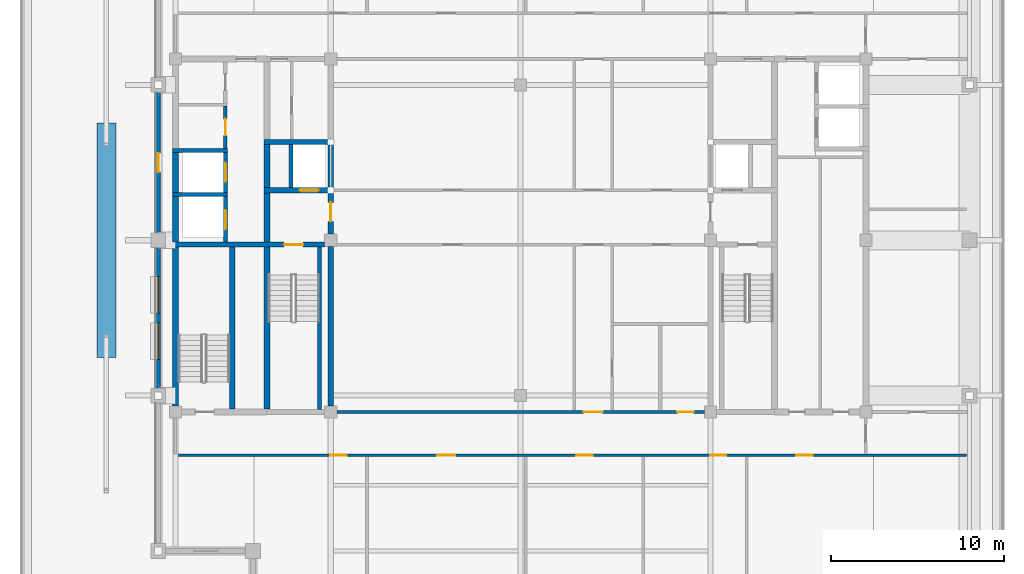
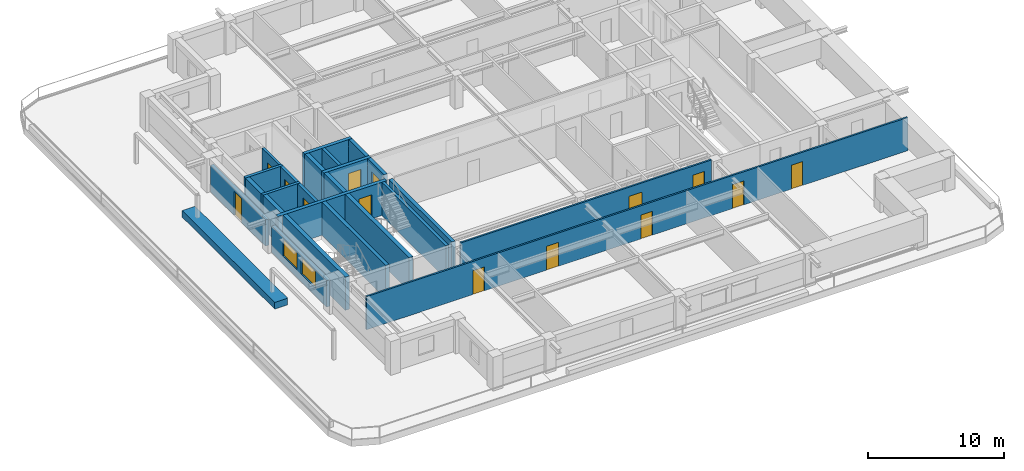
# One storey, part 6 of 14: 25 walls, 14 doors, 2 windows, 16 openings.
"""IFC4 building model written with IfcOpenShell, lengths in metres."""

from ifc_helpers import new_model, si_unit, direction, frame, frame_2d, origin, place, context, subcontext, project, spatial, rectangle, extrude, material, layer, layer_set, type_object, element, fill, save


model = new_model("IFC4")

# Units and contexts
model_context = context("Model", 3, precision=1e-05, world=origin(), true_north=direction((0.0, 1.0)))
body_context = subcontext(model_context, "Body", "Model", "MODEL_VIEW")
ifc_project = project(units=[si_unit("LENGTHUNIT", "METRE"), si_unit("AREAUNIT", "SQUARE_METRE"), si_unit("VOLUMEUNIT", "CUBIC_METRE"), si_unit("PLANEANGLEUNIT", "RADIAN"), si_unit("MASSUNIT", "GRAM", prefix="KILO")], contexts=[model_context])

# Site, building, storey
site_placement = place(None, origin())
site = spatial("IfcSite", under=ifc_project, at=site_placement, CompositionType="ELEMENT")
building_placement = place(site_placement, origin())
building = spatial("IfcBuilding", under=site, at=building_placement, Name="Zulmaris Gate Convention Tower", CompositionType="ELEMENT")
storey_placement = place(building_placement, frame((0.0, 0.0, 226.820068359375)))
storey = spatial("IfcBuildingStorey", under=building, at=storey_placement, Name="L59", CompositionType="ELEMENT", Elevation=226.820068359375)

# Walls
ifc_material_1 = material(Name="Concrete C50/60", Category="concrete")
ifc_layer_1 = layer(ifc_material_1, 0.25, Name="Concrete C50/60")
ifc_layer_set_1 = layer_set([ifc_layer_1], Name="Concrete C50/60")
wall_type_1 = type_object("IfcWallType", Name="CORE-250", PredefinedType="SOLIDWALL", material=ifc_layer_set_1)
for number, where, z_axis, x_axis, name in (
    (1, (-20.175048828125, 2.64990234375, 0.0), (0.0, 0.0, 1.0), (1.0, 0.0, 0.0), "WL-L59-007"),
    (2, (-20.175048828125, 5.199951171875, 0.0), (0.0, 0.0, 1.0), (1.0, 0.0, 0.0), "WL-L59-010"),
):
    element("IfcWall", number, at=place(storey_placement, frame(where, z_axis=z_axis, x_axis=x_axis)), inside=storey, type_object=wall_type_1, Name=name, PredefinedType="SOLIDWALL", context=body_context, shape_type="SweptSolid", body=[
        extrude(rectangle(XDim=3.199951171875, YDim=0.25, at=frame_2d((1.60009765625, 0.0))), origin(), (0.0, 0.0, 1.0), 2.97998046875),
    ])

# Wall, opening, door
wall_1_placement = place(storey_placement, frame((-17.10009765625, -0.097900390625, 0.0), z_axis=(0.0, 0.0, 1.0), x_axis=(0.0, 1.0, 0.0)))
wall_1 = element("IfcWall", 3, at=wall_1_placement, inside=storey, type_object=wall_type_1, Name="WL-L59-035", PredefinedType="SOLIDWALL", context=body_context, shape_type="SweptSolid", body=[
    extrude(rectangle(XDim=2.620849609375, YDim=0.25, at=frame_2d((1.310546875, 0.0))), origin(), (0.0, 0.0, 1.0), 2.97998046875),
])
opening_1_placement = place(wall_1_placement, frame((0.748046875, 0.0, 0.0)))
opening_1 = element("IfcOpeningElement", 4, at=opening_1_placement, cuts=wall_1, Name="Opening D-06", PredefinedType="OPENING", context=body_context, shape_type="SweptSolid", body=[
    extrude(rectangle(XDim=1.10009765625, YDim=2.199951171875, at=frame_2d((0.550048828125, 1.10009765625))), frame((0.0, 0.135009765625, 0.0), z_axis=(0.0, -1.0, 0.0), x_axis=(1.0, 0.0, 0.0)), (0.0, 0.0, 1.0), 0.27001953125),
])
ifc_material_2 = material(Name="Brushed Stainless Steel", Category="steel")
door_type_1 = type_object("IfcDoorType", Name="LD-1100", OperationType="NOTDEFINED", PredefinedType="DOOR", material=ifc_material_2)
door_1_placement = place(opening_1_placement, origin())
door_1 = element("IfcDoor", 5, at=door_1_placement, inside=storey, type_object=door_type_1, Name="L59 Lift Landing Door HP-03 11", OperationType="SLIDING_TO_LEFT", OverallHeight=2.199951171875, OverallWidth=1.10009765625, PredefinedType="DOOR", context=body_context, shape_type="SweptSolid", body=[
    extrude(rectangle(XDim=1.10009765625, YDim=2.199951171875, at=frame_2d((0.550048828125, 1.10009765625))), frame((0.0, 0.02490234375, 0.0), z_axis=(0.0, -1.0, 0.0), x_axis=(1.0, 0.0, 0.0)), (0.0, 0.0, 1.0), 0.050048828125),
])
fill(opening_1, door_1)

wall_2_placement = place(storey_placement, frame((-17.10009765625, 2.777099609375, 0.0), z_axis=(0.0, 0.0, 1.0), x_axis=(0.0, 1.0, 0.0)))
wall_2 = element("IfcWall", 6, at=wall_2_placement, inside=storey, type_object=wall_type_1, Name="WL-L59-036", PredefinedType="SOLIDWALL", context=body_context, shape_type="SweptSolid", body=[
    extrude(rectangle(XDim=2.2958984375, YDim=0.25, at=frame_2d((1.14794921875, 0.0))), origin(), (0.0, 0.0, 1.0), 2.97998046875),
])
opening_2_placement = place(wall_2_placement, frame((0.597900390625, 0.0, 0.0)))
opening_2 = element("IfcOpeningElement", 7, at=opening_2_placement, cuts=wall_2, Name="Opening D-06", PredefinedType="OPENING", context=body_context, shape_type="SweptSolid", body=[
    extrude(rectangle(XDim=1.10009765625, YDim=2.199951171875, at=frame_2d((0.550048828125, 1.10009765625))), frame((0.0, 0.135009765625, 0.0), z_axis=(0.0, -1.0, 0.0), x_axis=(1.0, 0.0, 0.0)), (0.0, 0.0, 1.0), 0.27001953125),
])
door_2_placement = place(opening_2_placement, origin())
door_2 = element("IfcDoor", 8, at=door_2_placement, inside=storey, type_object=door_type_1, Name="L59 Lift Landing Door HP-04 12", OperationType="SLIDING_TO_LEFT", OverallHeight=2.199951171875, OverallWidth=1.10009765625, PredefinedType="DOOR", context=body_context, shape_type="SweptSolid", body=[
    extrude(rectangle(XDim=1.10009765625, YDim=2.199951171875, at=frame_2d((0.550048828125, 1.10009765625))), frame((0.0, 0.02490234375, 0.0), z_axis=(0.0, -1.0, 0.0), x_axis=(1.0, 0.0, 0.0)), (0.0, 0.0, 1.0), 0.050048828125),
])
fill(opening_2, door_2)

# Walls
wall_3_placement = place(storey_placement, frame((-13.300048828125, 3.052001953125, 0.0), z_axis=(0.0, 0.0, 1.0), x_axis=(0.0, 1.0, 0.0)))
element("IfcWall", 9, at=wall_3_placement, inside=storey, type_object=wall_type_1, Name="WL-L59-042", PredefinedType="SOLIDWALL", context=body_context, shape_type="SweptSolid", body=[
    extrude(rectangle(XDim=2.49609375, YDim=0.25, at=frame_2d((1.248046875, 0.0))), origin(), (0.0, 0.0, 1.0), 2.97998046875),
])
wall_4_placement = place(storey_placement, frame((-11.64990234375, -9.798095703125, 0.0), z_axis=(0.0, 0.0, 1.0), x_axis=(0.0, 1.0, 0.0)))
element("IfcWall", 10, at=wall_4_placement, inside=storey, type_object=wall_type_1, Name="WL-L59-043", PredefinedType="SOLIDWALL", context=body_context, shape_type="SweptSolid", body=[
    extrude(rectangle(XDim=9.39599609375, YDim=0.25, at=frame_2d((4.697998046875, 0.0))), origin(), (0.0, 0.0, 1.0), 2.97998046875),
])

# Wall, opening, door
ifc_layer_2 = layer(ifc_material_1, 0.300048828125, Name="Concrete C50/60")
ifc_layer_set_2 = layer_set([ifc_layer_2], Name="Concrete C50/60")
wall_type_2 = type_object("IfcWallType", Name="CORE-300", PredefinedType="SHEAR", material=ifc_layer_set_2)
wall_5_placement = place(storey_placement, frame((-20.571044921875, -0.25, 0.0), z_axis=(0.0, 0.0, 1.0), x_axis=(1.0, 0.0, 0.0)))
wall_5 = element("IfcWall", 11, at=wall_5_placement, inside=storey, type_object=wall_type_2, Name="WL-L59-005", PredefinedType="SHEAR", context=body_context, shape_type="SweptSolid", body=[
    extrude(rectangle(XDim=9.217041015625, YDim=0.300048828125, at=frame_2d((4.6083984375, 0.0))), origin(), (0.0, 0.0, 1.0), 2.97998046875),
])
opening_3_placement = place(wall_5_placement, frame((6.87109375, 0.0, 0.0)))
opening_3 = element("IfcOpeningElement", 12, at=opening_3_placement, cuts=wall_5, Name="Opening D-08", PredefinedType="OPENING", context=body_context, shape_type="SweptSolid", body=[
    extrude(rectangle(XDim=1.10009765625, YDim=2.14990234375, at=frame_2d((0.550048828125, 1.074951171875))), frame((0.0, 0.16015625, 0.0), z_axis=(0.0, -1.0, 0.0), x_axis=(1.0, 0.0, 0.0)), (0.0, 0.0, 1.0), 0.320068359375),
])
ifc_material_3 = material(Name="Fire-Rated Steel", Category="steel")
door_type_2 = type_object("IfcDoorType", Name="DR-1100-FD", OperationType="NOTDEFINED", PredefinedType="DOOR", material=ifc_material_3)
door_3_placement = place(opening_3_placement, origin())
door_3 = element("IfcDoor", 13, at=door_3_placement, inside=storey, type_object=door_type_2, Name="L59 Exit Stair ST-1 Door 01", OperationType="SINGLE_SWING_LEFT", OverallHeight=2.14990234375, OverallWidth=1.10009765625, PredefinedType="DOOR", context=body_context, shape_type="SweptSolid", body=[
    extrude(rectangle(XDim=1.10009765625, YDim=2.14990234375, at=frame_2d((0.550048828125, 1.074951171875))), frame((0.0, 0.02490234375, 0.0), z_axis=(0.0, -1.0, 0.0), x_axis=(1.0, 0.0, 0.0)), (0.0, 0.0, 1.0), 0.050048828125),
])
fill(opening_3, door_3)

wall_6_placement = place(storey_placement, frame((-14.875, 2.89990234375, 0.0), z_axis=(0.0, 0.0, 1.0), x_axis=(1.0, 0.0, 0.0)))
wall_6 = element("IfcWall", 14, at=wall_6_placement, inside=storey, type_object=wall_type_2, Name="WL-L59-008", PredefinedType="SHEAR", context=body_context, shape_type="SweptSolid", body=[
    extrude(rectangle(XDim=4.02490234375, YDim=0.300048828125, at=frame_2d((2.012451171875, 0.0))), origin(), (0.0, 0.0, 1.0), 2.97998046875),
])
opening_4_placement = place(wall_6_placement, frame((2.074951171875, 0.0, 0.0)))
opening_4 = element("IfcOpeningElement", 15, at=opening_4_placement, cuts=wall_6, Name="Opening D-06", PredefinedType="OPENING", context=body_context, shape_type="SweptSolid", body=[
    extrude(rectangle(XDim=1.10009765625, YDim=2.199951171875, at=frame_2d((0.550048828125, 1.10009765625))), frame((0.0, 0.16015625, 0.0), z_axis=(0.0, -1.0, 0.0), x_axis=(1.0, 0.0, 0.0)), (0.0, 0.0, 1.0), 0.320068359375),
])
door_4_placement = place(opening_4_placement, origin())
door_4 = element("IfcDoor", 16, at=door_4_placement, inside=storey, type_object=door_type_1, Name="L59 Lift Landing Door LF-01 03", OperationType="SLIDING_TO_LEFT", OverallHeight=2.199951171875, OverallWidth=1.10009765625, PredefinedType="DOOR", context=body_context, shape_type="SweptSolid", body=[
    extrude(rectangle(XDim=1.10009765625, YDim=2.199951171875, at=frame_2d((0.550048828125, 1.10009765625))), frame((0.0, 0.02490234375, 0.0), z_axis=(0.0, -1.0, 0.0), x_axis=(1.0, 0.0, 0.0)), (0.0, 0.0, 1.0), 0.050048828125),
])
fill(opening_4, door_4)

# Walls
wall_7_placement = place(storey_placement, frame((-14.875, 5.699951171875, 0.0), z_axis=(0.0, 0.0, 1.0), x_axis=(1.0, 0.0, 0.0)))
element("IfcWall", 17, at=wall_7_placement, inside=storey, type_object=wall_type_2, Name="WL-L59-012", PredefinedType="SHEAR", context=body_context, shape_type="SweptSolid", body=[
    extrude(rectangle(XDim=4.02490234375, YDim=0.300048828125, at=frame_2d((2.012451171875, 0.0))), origin(), (0.0, 0.0, 1.0), 2.97998046875),
])
wall_8_placement = place(storey_placement, frame((-16.699951171875, -9.77294921875, 0.0), z_axis=(0.0, 0.0, 1.0), x_axis=(0.0, 1.0, 0.0)))
element("IfcWall", 18, at=wall_8_placement, inside=storey, type_object=wall_type_2, Name="WL-L59-037", PredefinedType="SHEAR", context=body_context, shape_type="SweptSolid", body=[
    extrude(rectangle(XDim=9.370849609375, YDim=0.300048828125, at=frame_2d((4.685546875, 0.0))), origin(), (0.0, 0.0, 1.0), 2.97998046875),
])
wall_9_placement = place(storey_placement, frame((-11.0, -9.595947265625, 0.0), z_axis=(0.0, 0.0, 1.0), x_axis=(0.0, 1.0, 0.0)))
element("IfcWall", 19, at=wall_9_placement, inside=storey, type_object=wall_type_2, Name="WL-L59-044", PredefinedType="SHEAR", context=body_context, shape_type="SweptSolid", body=[
    extrude(rectangle(XDim=9.241943359375, YDim=0.300048828125, at=frame_2d((4.62109375, 0.0))), origin(), (0.0, 0.0, 1.0), 2.97998046875),
])

# Wall, opening, door
wall_10_placement = place(storey_placement, frame((-11.0, 0.35400390625, 0.0), z_axis=(0.0, 0.0, 1.0), x_axis=(0.0, 1.0, 0.0)))
wall_10 = element("IfcWall", 20, at=wall_10_placement, inside=storey, type_object=wall_type_2, Name="WL-L59-045", PredefinedType="SHEAR", context=body_context, shape_type="SweptSolid", body=[
    extrude(rectangle(XDim=2.39404296875, YDim=0.300048828125, at=frame_2d((1.197021484375, 0.0))), origin(), (0.0, 0.0, 1.0), 2.97998046875),
])
opening_5_placement = place(wall_10_placement, frame((0.74609375, 0.0, 0.0)))
opening_5 = element("IfcOpeningElement", 21, at=opening_5_placement, cuts=wall_10, Name="Opening D-08", PredefinedType="OPENING", context=body_context, shape_type="SweptSolid", body=[
    extrude(rectangle(XDim=1.10009765625, YDim=2.14990234375, at=frame_2d((0.550048828125, 1.074951171875))), frame((0.0, 0.16015625, 0.0), z_axis=(0.0, -1.0, 0.0), x_axis=(1.0, 0.0, 0.0)), (0.0, 0.0, 1.0), 0.320068359375),
])
door_5_placement = place(opening_5_placement, origin())
door_5 = element("IfcDoor", 22, at=door_5_placement, inside=storey, type_object=door_type_2, Name="L59 West Firefighting Lobby Door 02", OperationType="SINGLE_SWING_RIGHT", OverallHeight=2.14990234375, OverallWidth=1.10009765625, PredefinedType="DOOR", context=body_context, shape_type="SweptSolid", body=[
    extrude(rectangle(XDim=1.10009765625, YDim=2.14990234375, at=frame_2d((0.550048828125, 1.074951171875))), frame((0.0, 0.02490234375, 0.0), z_axis=(0.0, -1.0, 0.0), x_axis=(1.0, 0.0, 0.0)), (0.0, 0.0, 1.0), 0.050048828125),
])
fill(opening_5, door_5)

# Walls
wall_11_placement = place(storey_placement, frame((-11.0, 3.052001953125, 0.0), z_axis=(0.0, 0.0, 1.0), x_axis=(0.0, 1.0, 0.0)))
element("IfcWall", 23, at=wall_11_placement, inside=storey, type_object=wall_type_2, Name="WL-L59-046", PredefinedType="SHEAR", context=body_context, shape_type="SweptSolid", body=[
    extrude(rectangle(XDim=2.49609375, YDim=0.300048828125, at=frame_2d((1.248046875, 0.0))), origin(), (0.0, 0.0, 1.0), 2.97998046875),
])
ifc_material_4 = material(Name="Concrete C55/67", Category="concrete")
ifc_layer_3 = layer(ifc_material_4, 0.35009765625, Name="Concrete C55/67")
ifc_layer_set_3 = layer_set([ifc_layer_3], Name="Concrete C55/67")
wall_type_3 = type_object("IfcWallType", Name="CORE-350", PredefinedType="SHEAR", material=ifc_layer_set_3)
wall_12_placement = place(storey_placement, frame((-20.0, -9.595947265625, 0.0), z_axis=(0.0, 0.0, 1.0), x_axis=(0.0, 1.0, 0.0)))
element("IfcWall", 24, at=wall_12_placement, inside=storey, type_object=wall_type_3, Name="WL-L59-031", PredefinedType="SHEAR", context=body_context, shape_type="SweptSolid", body=[
    extrude(rectangle(XDim=9.19384765625, YDim=0.35009765625, at=frame_2d((4.596923828125, 0.0))), origin(), (0.0, 0.0, 1.0), 2.97998046875),
])
wall_13_placement = place(storey_placement, frame((-20.0, -0.097900390625, 0.0), z_axis=(0.0, 0.0, 1.0), x_axis=(0.0, 1.0, 0.0)))
element("IfcWall", 25, at=wall_13_placement, inside=storey, type_object=wall_type_3, Name="WL-L59-032", PredefinedType="SHEAR", context=body_context, shape_type="SweptSolid", body=[
    extrude(rectangle(XDim=2.620849609375, YDim=0.35009765625, at=frame_2d((1.310546875, 0.0))), origin(), (0.0, 0.0, 1.0), 2.97998046875),
])
wall_14_placement = place(storey_placement, frame((-20.0, 2.777099609375, 0.0), z_axis=(0.0, 0.0, 1.0), x_axis=(0.0, 1.0, 0.0)))
element("IfcWall", 26, at=wall_14_placement, inside=storey, type_object=wall_type_3, Name="WL-L59-033", PredefinedType="SHEAR", context=body_context, shape_type="SweptSolid", body=[
    extrude(rectangle(XDim=2.2958984375, YDim=0.35009765625, at=frame_2d((1.14794921875, 0.0))), origin(), (0.0, 0.0, 1.0), 2.97998046875),
])
wall_15_placement = place(storey_placement, frame((-14.699951171875, -9.77294921875, 0.0), z_axis=(0.0, 0.0, 1.0), x_axis=(0.0, 1.0, 0.0)))
element("IfcWall", 27, at=wall_15_placement, inside=storey, type_object=wall_type_3, Name="WL-L59-038", PredefinedType="SHEAR", context=body_context, shape_type="SweptSolid", body=[
    extrude(rectangle(XDim=9.370849609375, YDim=0.35009765625, at=frame_2d((4.685546875, 0.0))), origin(), (0.0, 0.0, 1.0), 2.97998046875),
])
wall_16_placement = place(storey_placement, frame((-14.699951171875, -0.097900390625, 0.0), z_axis=(0.0, 0.0, 1.0), x_axis=(0.0, 1.0, 0.0)))
element("IfcWall", 28, at=wall_16_placement, inside=storey, type_object=wall_type_3, Name="WL-L59-039", PredefinedType="SHEAR", context=body_context, shape_type="SweptSolid", body=[
    extrude(rectangle(XDim=2.845947265625, YDim=0.35009765625, at=frame_2d((1.4228515625, 0.0))), origin(), (0.0, 0.0, 1.0), 2.97998046875),
])
wall_17_placement = place(storey_placement, frame((-14.699951171875, 3.052001953125, 0.0), z_axis=(0.0, 0.0, 1.0), x_axis=(0.0, 1.0, 0.0)))
element("IfcWall", 29, at=wall_17_placement, inside=storey, type_object=wall_type_3, Name="WL-L59-040", PredefinedType="SHEAR", context=body_context, shape_type="SweptSolid", body=[
    extrude(rectangle(XDim=2.49609375, YDim=0.35009765625, at=frame_2d((1.248046875, 0.0))), origin(), (0.0, 0.0, 1.0), 2.97998046875),
])

# Wall, openings, doors
ifc_material_5 = material(Name="Gypsum Metal Stud Partition")
ifc_layer_4 = layer(ifc_material_5, 0.14990234375, Name="Gypsum Metal Stud Partition")
ifc_layer_set_4 = layer_set([ifc_layer_4], Name="Gypsum Metal Stud Partition")
wall_type_4 = type_object("IfcWallType", Name="PART-150", PredefinedType="PARTITIONING", material=ifc_layer_set_4)
wall_18_placement = place(storey_placement, frame((-20.074951171875, -12.449951171875, 0.0), z_axis=(0.0, 0.0, 1.0), x_axis=(1.0, 0.0, 0.0)))
wall_18 = element("IfcWall", 30, at=wall_18_placement, inside=storey, type_object=wall_type_4, Name="WL-L59-019", PredefinedType="PARTITIONING", context=body_context, shape_type="SweptSolid", body=[
    extrude(rectangle(XDim=45.909912109375, YDim=0.14990234375, at=frame_2d((22.955078125, 0.0))), origin(), (0.0, 0.0, 1.0), 2.97998046875),
])
opening_6_placement = place(wall_18_placement, frame((9.050048828125, 0.0, 0.0)))
opening_6 = element("IfcOpeningElement", 31, at=opening_6_placement, cuts=wall_18, Name="Opening D-11", PredefinedType="OPENING", context=body_context, shape_type="SweptSolid", body=[
    extrude(rectangle(XDim=0.949951171875, YDim=2.14990234375, at=frame_2d((0.47509765625, 1.074951171875))), frame((0.0, 0.0849609375, 0.0), z_axis=(0.0, -1.0, 0.0), x_axis=(1.0, 0.0, 0.0)), (0.0, 0.0, 1.0), 0.169921875),
])
opening_7_placement = place(wall_18_placement, frame((15.25, 0.0, 0.0)))
opening_7 = element("IfcOpeningElement", 32, at=opening_7_placement, cuts=wall_18, Name="Opening D-09", PredefinedType="OPENING", context=body_context, shape_type="SweptSolid", body=[
    extrude(rectangle(XDim=1.050048828125, YDim=2.14990234375, at=frame_2d((0.52490234375, 1.074951171875))), frame((0.0, 0.0849609375, 0.0), z_axis=(0.0, -1.0, 0.0), x_axis=(1.0, 0.0, 0.0)), (0.0, 0.0, 1.0), 0.169921875),
])
opening_8_placement = place(wall_18_placement, frame((23.300048828125, 0.0, 0.0)))
opening_8 = element("IfcOpeningElement", 33, at=opening_8_placement, cuts=wall_18, Name="Opening D-11", PredefinedType="OPENING", context=body_context, shape_type="SweptSolid", body=[
    extrude(rectangle(XDim=0.949951171875, YDim=2.14990234375, at=frame_2d((0.47509765625, 1.074951171875))), frame((0.0, 0.0849609375, 0.0), z_axis=(0.0, -1.0, 0.0), x_axis=(1.0, 0.0, 0.0)), (0.0, 0.0, 1.0), 0.169921875),
])
opening_9_placement = place(wall_18_placement, frame((31.050048828125, 0.0, 0.0)))
opening_9 = element("IfcOpeningElement", 34, at=opening_9_placement, cuts=wall_18, Name="Opening D-11", PredefinedType="OPENING", context=body_context, shape_type="SweptSolid", body=[
    extrude(rectangle(XDim=0.949951171875, YDim=2.14990234375, at=frame_2d((0.47509765625, 1.074951171875))), frame((0.0, 0.0849609375, 0.0), z_axis=(0.0, -1.0, 0.0), x_axis=(1.0, 0.0, 0.0)), (0.0, 0.0, 1.0), 0.169921875),
])
opening_10_placement = place(wall_18_placement, frame((36.050048828125, 0.0, 0.0)))
opening_10 = element("IfcOpeningElement", 35, at=opening_10_placement, cuts=wall_18, Name="Opening D-11", PredefinedType="OPENING", context=body_context, shape_type="SweptSolid", body=[
    extrude(rectangle(XDim=0.949951171875, YDim=2.14990234375, at=frame_2d((0.47509765625, 1.074951171875))), frame((0.0, 0.0849609375, 0.0), z_axis=(0.0, -1.0, 0.0), x_axis=(1.0, 0.0, 0.0)), (0.0, 0.0, 1.0), 0.169921875),
])
door_type_3 = type_object("IfcDoorType", Name="DR-1050-FD", OperationType="NOTDEFINED", PredefinedType="DOOR", material=ifc_material_3)
door_6_placement = place(opening_7_placement, origin())
door_6 = element("IfcDoor", 36, at=door_6_placement, inside=storey, type_object=door_type_3, Name="L59 Quiet Focus Study Door 31", OperationType="SINGLE_SWING_LEFT", OverallHeight=2.14990234375, OverallWidth=1.050048828125, PredefinedType="DOOR", context=body_context, shape_type="SweptSolid", body=[
    extrude(rectangle(XDim=1.050048828125, YDim=2.14990234375, at=frame_2d((0.52490234375, 1.074951171875))), frame((0.0, 0.02490234375, 0.0), z_axis=(0.0, -1.0, 0.0), x_axis=(1.0, 0.0, 0.0)), (0.0, 0.0, 1.0), 0.050048828125),
])
fill(opening_7, door_6)
ifc_material_6 = material(Name="Fire-Rated Timber", Category="wood")
door_type_4 = type_object("IfcDoorType", Name="DR-950-FD", OperationType="NOTDEFINED", PredefinedType="DOOR", material=ifc_material_6)
door_7_placement = place(opening_6_placement, origin())
door_7 = element("IfcDoor", 37, at=door_7_placement, inside=storey, type_object=door_type_4, Name="L59 Research Reading Room Door 30", OperationType="SINGLE_SWING_RIGHT", OverallHeight=2.14990234375, OverallWidth=0.949951171875, PredefinedType="DOOR", context=body_context, shape_type="SweptSolid", body=[
    extrude(rectangle(XDim=0.949951171875, YDim=2.14990234375, at=frame_2d((0.47509765625, 1.074951171875))), frame((0.0, 0.02490234375, 0.0), z_axis=(0.0, -1.0, 0.0), x_axis=(1.0, 0.0, 0.0)), (0.0, 0.0, 1.0), 0.050048828125),
])
fill(opening_6, door_7)
door_8_placement = place(opening_8_placement, origin())
door_8 = element("IfcDoor", 38, at=door_8_placement, inside=storey, type_object=door_type_4, Name="L59 Legal Library Room Door 32", OperationType="SINGLE_SWING_RIGHT", OverallHeight=2.14990234375, OverallWidth=0.949951171875, PredefinedType="DOOR", context=body_context, shape_type="SweptSolid", body=[
    extrude(rectangle(XDim=0.949951171875, YDim=2.14990234375, at=frame_2d((0.47509765625, 1.074951171875))), frame((0.0, 0.02490234375, 0.0), z_axis=(0.0, -1.0, 0.0), x_axis=(1.0, 0.0, 0.0)), (0.0, 0.0, 1.0), 0.050048828125),
])
fill(opening_8, door_8)
door_9_placement = place(opening_9_placement, origin())
door_9 = element("IfcDoor", 39, at=door_9_placement, inside=storey, type_object=door_type_4, Name="L59 Editorial Focus Suite Door 33", OperationType="SINGLE_SWING_LEFT", OverallHeight=2.14990234375, OverallWidth=0.949951171875, PredefinedType="DOOR", context=body_context, shape_type="SweptSolid", body=[
    extrude(rectangle(XDim=0.949951171875, YDim=2.14990234375, at=frame_2d((0.47509765625, 1.074951171875))), frame((0.0, 0.02490234375, 0.0), z_axis=(0.0, -1.0, 0.0), x_axis=(1.0, 0.0, 0.0)), (0.0, 0.0, 1.0), 0.050048828125),
])
fill(opening_9, door_9)
door_10_placement = place(opening_10_placement, origin())
door_10 = element("IfcDoor", 40, at=door_10_placement, inside=storey, type_object=door_type_4, Name="L59 Research Reading Room Door 34", OperationType="SINGLE_SWING_RIGHT", OverallHeight=2.14990234375, OverallWidth=0.949951171875, PredefinedType="DOOR", context=body_context, shape_type="SweptSolid", body=[
    extrude(rectangle(XDim=0.949951171875, YDim=2.14990234375, at=frame_2d((0.47509765625, 1.074951171875))), frame((0.0, 0.02490234375, 0.0), z_axis=(0.0, -1.0, 0.0), x_axis=(1.0, 0.0, 0.0)), (0.0, 0.0, 1.0), 0.050048828125),
])
fill(opening_10, door_10)

wall_19_placement = place(storey_placement, frame((-10.64404296875, -9.949951171875, 0.0), z_axis=(0.0, 0.0, 1.0), x_axis=(1.0, 0.0, 0.0)))
wall_19 = element("IfcWall", 41, at=wall_19_placement, inside=storey, type_object=wall_type_4, Name="WL-L59-020", PredefinedType="PARTITIONING", context=body_context, shape_type="SweptSolid", body=[
    extrude(rectangle(XDim=21.2880859375, YDim=0.14990234375, at=frame_2d((10.64404296875, 0.0))), origin(), (0.0, 0.0, 1.0), 2.97998046875),
])
opening_11_placement = place(wall_19_placement, frame((14.2939453125, 0.0, 0.0)))
opening_11 = element("IfcOpeningElement", 42, at=opening_11_placement, cuts=wall_19, Name="Opening D-08", PredefinedType="OPENING", context=body_context, shape_type="SweptSolid", body=[
    extrude(rectangle(XDim=1.10009765625, YDim=2.14990234375, at=frame_2d((0.550048828125, 1.074951171875))), frame((0.0, 0.0849609375, 0.0), z_axis=(0.0, -1.0, 0.0), x_axis=(1.0, 0.0, 0.0)), (0.0, 0.0, 1.0), 0.169921875),
])
opening_12_placement = place(wall_19_placement, frame((19.718994140625, 0.0, 0.0)))
opening_12 = element("IfcOpeningElement", 43, at=opening_12_placement, cuts=wall_19, Name="Opening D-11", PredefinedType="OPENING", context=body_context, shape_type="SweptSolid", body=[
    extrude(rectangle(XDim=0.949951171875, YDim=2.14990234375, at=frame_2d((0.47509765625, 1.074951171875))), frame((0.0, 0.0849609375, 0.0), z_axis=(0.0, -1.0, 0.0), x_axis=(1.0, 0.0, 0.0)), (0.0, 0.0, 1.0), 0.169921875),
])
door_11_placement = place(opening_11_placement, origin())
door_11 = element("IfcDoor", 44, at=door_11_placement, inside=storey, type_object=door_type_2, Name="L59 Exec South Link Door 22", OperationType="SINGLE_SWING_RIGHT", OverallHeight=2.14990234375, OverallWidth=1.10009765625, PredefinedType="DOOR", context=body_context, shape_type="SweptSolid", body=[
    extrude(rectangle(XDim=1.10009765625, YDim=2.14990234375, at=frame_2d((0.550048828125, 1.074951171875))), frame((0.0, 0.02490234375, 0.0), z_axis=(0.0, -1.0, 0.0), x_axis=(1.0, 0.0, 0.0)), (0.0, 0.0, 1.0), 0.050048828125),
])
fill(opening_11, door_11)
door_12_placement = place(opening_12_placement, origin())
door_12 = element("IfcDoor", 45, at=door_12_placement, inside=storey, type_object=door_type_4, Name="L59 Vault Store Door 40", OperationType="SINGLE_SWING_RIGHT", OverallHeight=2.14990234375, OverallWidth=0.949951171875, PredefinedType="DOOR", context=body_context, shape_type="SweptSolid", body=[
    extrude(rectangle(XDim=0.949951171875, YDim=2.14990234375, at=frame_2d((0.47509765625, 1.074951171875))), frame((0.0, 0.02490234375, 0.0), z_axis=(0.0, -1.0, 0.0), x_axis=(1.0, 0.0, 0.0)), (0.0, 0.0, 1.0), 0.050048828125),
])
fill(opening_12, door_12)

# Wall, opening, door
ifc_material_7 = material(Name="Autoclaved Aerated Concrete Block and Plasterboard", Category="concrete")
ifc_layer_5 = layer(ifc_material_7, 0.199951171875, Name="Autoclaved Aerated Concrete Block and Plasterboard")
ifc_layer_set_5 = layer_set([ifc_layer_5], Name="Autoclaved Aerated Concrete Block and Plasterboard")
wall_type_5 = type_object("IfcWallType", Name="PART-200", PredefinedType="PARTITIONING", material=ifc_layer_set_5)
wall_20_placement = place(storey_placement, frame((-17.10009765625, 5.327880859375, 0.0), z_axis=(0.0, 0.0, 1.0), x_axis=(0.0, 1.0, 0.0)))
wall_20 = element("IfcWall", 46, at=wall_20_placement, inside=storey, type_object=wall_type_5, Name="WL-L59-065", PredefinedType="PARTITIONING", context=body_context, shape_type="SweptSolid", body=[
    extrude(rectangle(XDim=2.444091796875, YDim=0.199951171875, at=frame_2d((1.22216796875, 0.0))), origin(), (0.0, 0.0, 1.0), 2.97998046875),
])
opening_13_placement = place(wall_20_placement, frame((0.7470703125, 0.0, 0.0)))
opening_13 = element("IfcOpeningElement", 47, at=opening_13_placement, cuts=wall_20, Name="Opening D-11", PredefinedType="OPENING", context=body_context, shape_type="SweptSolid", body=[
    extrude(rectangle(XDim=0.949951171875, YDim=2.14990234375, at=frame_2d((0.47509765625, 1.074951171875))), frame((0.0, 0.10986328125, 0.0), z_axis=(0.0, -1.0, 0.0), x_axis=(1.0, 0.0, 0.0)), (0.0, 0.0, 1.0), 0.219970703125),
])
door_13_placement = place(opening_13_placement, origin())
door_13 = element("IfcDoor", 48, at=door_13_placement, inside=storey, type_object=door_type_4, Name="L59 Valet Closet Door 15", OperationType="SINGLE_SWING_LEFT", OverallHeight=2.14990234375, OverallWidth=0.949951171875, PredefinedType="DOOR", context=body_context, shape_type="SweptSolid", body=[
    extrude(rectangle(XDim=0.949951171875, YDim=2.14990234375, at=frame_2d((0.47509765625, 1.074951171875))), frame((0.0, 0.02490234375, 0.0), z_axis=(0.0, -1.0, 0.0), x_axis=(1.0, 0.0, 0.0)), (0.0, 0.0, 1.0), 0.050048828125),
])
fill(opening_13, door_13)

# Wall
ifc_material_8 = material(Name="Botanical Green Glazed Precast Concrete C40/50", Category="concrete")
ifc_layer_6 = layer(ifc_material_8, 0.419921875, Name="Botanical Green Glazed Precast Concrete C40/50")
ifc_layer_set_6 = layer_set([ifc_layer_6], Name="Botanical Green Glazed Precast Concrete C40/50")
wall_type_6 = type_object("IfcWallType", Name="PLANTER-CURB-200", PredefinedType="PARAPET", material=ifc_layer_set_6)
wall_21_placement = place(storey_placement, frame((-24.0, -6.800048828125, -0.0400390625), z_axis=(0.0, 0.0, 1.0), x_axis=(0.0, 1.0, 0.0)))
element("IfcWall", 49, at=wall_21_placement, inside=storey, type_object=wall_type_6, Name="L59 Block-End Terrace Tree Planter Bed", PredefinedType="PARAPET", context=body_context, shape_type="SweptSolid", body=[
    extrude(rectangle(XDim=13.60009765625, YDim=1.10009765625, at=frame_2d((6.800048828125, 0.0))), origin(), (0.0, 0.0, 1.0), 0.60009765625),
])

# Wall, openings, windows
ifc_material_9 = material(Name="Precast concrete C40/50", Category="concrete")
ifc_layer_7 = layer(ifc_material_9, 0.300048828125, Name="Precast concrete C40/50")
ifc_layer_set_7 = layer_set([ifc_layer_7], Name="Precast concrete C40/50")
wall_type_7 = type_object("IfcWallType", Name="PRECAST-PIER-300", PredefinedType="STANDARD", material=ifc_layer_set_7)
wall_22_placement = place(storey_placement, frame((-21.0, -0.455078125, 0.0), z_axis=(0.0, 0.0, 1.0), x_axis=(0.0, -1.0, 0.0)))
wall_22 = element("IfcWall", 50, at=wall_22_placement, inside=storey, type_object=wall_type_7, Name="EW-L59-W-1_0", PredefinedType="STANDARD", context=body_context, shape_type="SweptSolid", body=[
    extrude(rectangle(XDim=8.08984375, YDim=0.300048828125, at=frame_2d((4.044921875, 0.0))), origin(), (0.0, 0.0, 1.0), 2.371826171875),
])
opening_14_placement = place(wall_22_placement, frame((1.64697265625, 0.0, 0.699951171875)))
opening_14 = element("IfcOpeningElement", 51, at=opening_14_placement, cuts=wall_22, Name="Opening W-05", PredefinedType="OPENING", context=body_context, shape_type="SweptSolid", body=[
    extrude(rectangle(XDim=2.10009765625, YDim=1.5, at=frame_2d((1.050048828125, 0.75))), frame((0.0, 0.16015625, 0.0), z_axis=(0.0, -1.0, 0.0), x_axis=(1.0, 0.0, 0.0)), (0.0, 0.0, 1.0), 0.320068359375),
])
opening_15_placement = place(wall_22_placement, frame((4.343017578125, 0.0, 0.699951171875)))
opening_15 = element("IfcOpeningElement", 52, at=opening_15_placement, cuts=wall_22, Name="Opening W-05", PredefinedType="OPENING", context=body_context, shape_type="SweptSolid", body=[
    extrude(rectangle(XDim=2.10009765625, YDim=1.5, at=frame_2d((1.050048828125, 0.75))), frame((0.0, 0.16015625, 0.0), z_axis=(0.0, -1.0, 0.0), x_axis=(1.0, 0.0, 0.0)), (0.0, 0.0, 1.0), 0.320068359375),
])
ifc_material_10 = material(Name="Low-E Laminated Double Glazing in Aluminium Frame", Category="aluminium")
window_type = type_object("IfcWindowType", Name="WIN-2100x2400", PartitioningType="SINGLE_PANEL", PredefinedType="WINDOW", material=ifc_material_10)
window_1_placement = place(opening_14_placement, origin())
window_1 = element("IfcWindow", 53, at=window_1_placement, inside=storey, type_object=window_type, Name="WN-EW-L59-W-1_0-1", OverallHeight=1.5, OverallWidth=2.10009765625, PartitioningType="SINGLE_PANEL", PredefinedType="WINDOW", context=body_context, shape_type="SweptSolid", body=[
    extrude(rectangle(XDim=2.10009765625, YDim=1.5, at=frame_2d((1.050048828125, 0.75))), frame((0.0, 0.030029296875, 0.0), z_axis=(0.0, -1.0, 0.0), x_axis=(1.0, 0.0, 0.0)), (0.0, 0.0, 1.0), 0.06005859375),
])
fill(opening_14, window_1)
window_2_placement = place(opening_15_placement, origin())
window_2 = element("IfcWindow", 54, at=window_2_placement, inside=storey, type_object=window_type, Name="WN-EW-L59-W-1_0-2", OverallHeight=1.5, OverallWidth=2.10009765625, PartitioningType="SINGLE_PANEL", PredefinedType="WINDOW", context=body_context, shape_type="SweptSolid", body=[
    extrude(rectangle(XDim=2.10009765625, YDim=1.5, at=frame_2d((1.050048828125, 0.75))), frame((0.0, 0.030029296875, 0.0), z_axis=(0.0, -1.0, 0.0), x_axis=(1.0, 0.0, 0.0)), (0.0, 0.0, 1.0), 0.06005859375),
])
fill(opening_15, window_2)

# Wall, opening, door
wall_23_placement = place(storey_placement, frame((-21.0, 8.544921875, 0.0), z_axis=(0.0, 0.0, 1.0), x_axis=(0.0, -1.0, 0.0)))
wall_23 = element("IfcWall", 55, at=wall_23_placement, inside=storey, type_object=wall_type_7, Name="EW-L59-W-2_0", PredefinedType="STANDARD", context=body_context, shape_type="SweptSolid", body=[
    extrude(rectangle(XDim=8.08984375, YDim=0.300048828125, at=frame_2d((4.044921875, 0.0))), origin(), (0.0, 0.0, 1.0), 2.371826171875),
])
opening_16_placement = place(wall_23_placement, frame((3.4951171875, 0.0, 0.0)))
opening_16 = element("IfcOpeningElement", 56, at=opening_16_placement, cuts=wall_23, Name="Opening D-04", PredefinedType="OPENING", context=body_context, shape_type="SweptSolid", body=[
    extrude(rectangle(XDim=1.10009765625, YDim=2.14990234375, at=frame_2d((0.550048828125, 1.074951171875))), frame((0.0, 0.16015625, 0.0), z_axis=(0.0, -1.0, 0.0), x_axis=(1.0, 0.0, 0.0)), (0.0, 0.0, 1.0), 0.320068359375),
])
ifc_material_11 = material(Name="Anodised Aluminium and Laminated Glass", Category="aluminium")
door_type_5 = type_object("IfcDoorType", Name="ED-1100", OperationType="SINGLE_SWING_RIGHT", PredefinedType="DOOR", material=ifc_material_11)
door_14_placement = place(opening_16_placement, origin())
door_14 = element("IfcDoor", 57, at=door_14_placement, inside=storey, type_object=door_type_5, Name="L59 Block-End Planted Roof Terrace Door", OperationType="SINGLE_SWING_LEFT", OverallHeight=2.14990234375, OverallWidth=1.10009765625, PredefinedType="DOOR", context=body_context, shape_type="SweptSolid", body=[
    extrude(rectangle(XDim=1.10009765625, YDim=2.14990234375, at=frame_2d((0.550048828125, 1.074951171875))), frame((0.0, 0.02490234375, 0.0), z_axis=(0.0, -1.0, 0.0), x_axis=(1.0, 0.0, 0.0)), (0.0, 0.0, 1.0), 0.050048828125),
])
fill(opening_16, door_14)

save(model, "model.ifc")
